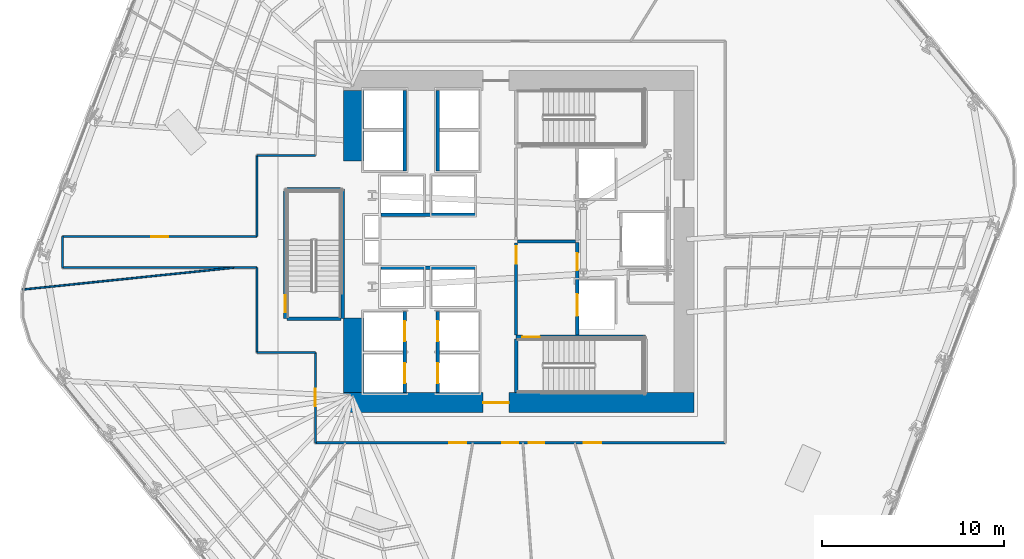
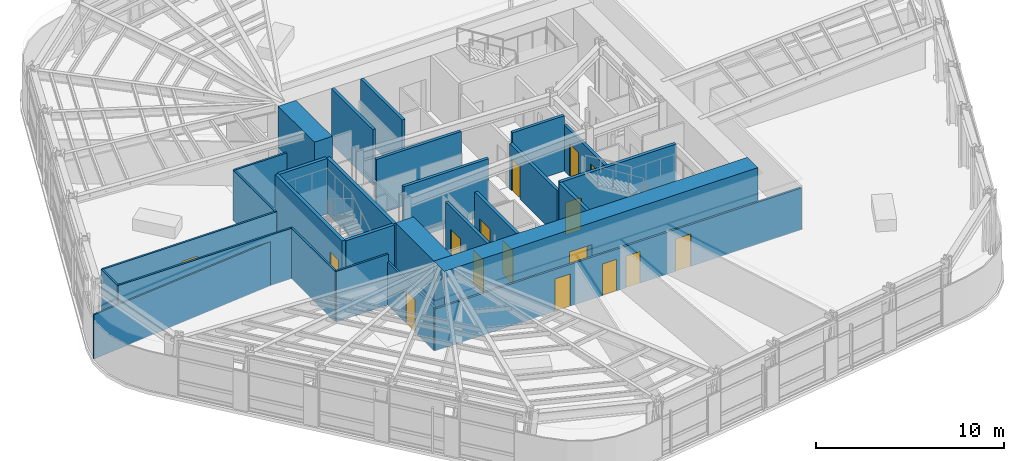
# One storey, part 8 of 16: 28 walls, 16 doors, 16 openings.
"""IFC4 building model written with IfcOpenShell, lengths in metres."""

from ifc_helpers import new_model, si_unit, direction, frame, frame_2d, origin, place, context, subcontext, project, spatial, rectangle, extrude, material, layer, layer_set, type_object, element, fill, save


model = new_model("IFC4")

# Units and contexts
model_context = context("Model", 3, precision=1e-05, world=origin(), true_north=direction((0.0, 1.0)))
body_context = subcontext(model_context, "Body", "Model", "MODEL_VIEW")
ifc_project = project(units=[si_unit("LENGTHUNIT", "METRE"), si_unit("AREAUNIT", "SQUARE_METRE"), si_unit("VOLUMEUNIT", "CUBIC_METRE"), si_unit("PLANEANGLEUNIT", "RADIAN"), si_unit("MASSUNIT", "GRAM", prefix="KILO")], contexts=[model_context])

# Site, building, storey
site_placement = place(None, origin())
site = spatial("IfcSite", under=ifc_project, at=site_placement, CompositionType="ELEMENT")
building_placement = place(site_placement, origin())
building = spatial("IfcBuilding", under=site, at=building_placement, Name="Valkerne Bourse Tower", CompositionType="ELEMENT")
storey_placement = place(building_placement, frame((0.0, 0.0, 62.0)))
storey = spatial("IfcBuildingStorey", under=building, at=storey_placement, Name="L15", CompositionType="ELEMENT", Elevation=62.0)

# Wall, opening, door
ifc_material_1 = material(Name="Concrete C70/85", Category="concrete")
ifc_layer_1 = layer(ifc_material_1, 1.10009765625)
ifc_layer_set_1 = layer_set([ifc_layer_1], Name="Concrete C70/85")
wall_type_1 = type_object("IfcWallType", Name="W-CORE-1100", PredefinedType="SHEAR", material=ifc_layer_set_1)
wall_1_placement = place(storey_placement, frame((37.199951171875, 18.050048828125, 0.0), z_axis=(0.0, 0.0, 1.0), x_axis=(1.0, 0.0, 0.0)))
wall_1 = element("IfcWall", 1, at=wall_1_placement, inside=storey, type_object=wall_type_1, Name="L15 Core Shear Wall SOUTH", PredefinedType="SHEAR", context=body_context, shape_type="SweptSolid", body=[
    extrude(rectangle(XDim=19.199951171875, YDim=1.10009765625, at=frame_2d((9.60009765625, 0.0))), origin(), (0.0, 0.0, 1.0), 3.580078125),
])
opening_1_placement = place(wall_1_placement, frame((7.64990234375, 0.0, 0.0)))
opening_1 = element("IfcOpeningElement", 2, at=opening_1_placement, cuts=wall_1, Name="Opening D-PL-1400", PredefinedType="OPENING", context=body_context, shape_type="SweptSolid", body=[
    extrude(rectangle(XDim=1.39990234375, YDim=2.14990234375, at=frame_2d((0.699951171875, 1.074951171875))), frame((0.0, 0.56005859375, 0.0), z_axis=(0.0, -1.0, 0.0), x_axis=(1.0, 0.0, 0.0)), (0.0, 0.0, 1.0), 1.1201171875),
])
ifc_material_2 = material(Name="Galvanised Painted Steel", Category="steel")
door_type_1 = type_object("IfcDoorType", Name="DR-PLT-1400", OperationType="DOUBLE_DOOR_SINGLE_SWING", PredefinedType="DOOR", material=ifc_material_2)
door_1_placement = place(opening_1_placement, origin())
door_1 = element("IfcDoor", 3, at=door_1_placement, inside=storey, type_object=door_type_1, Name="L15 South Passenger Lift Hall Fire Door", OperationType="DOUBLE_DOOR_SINGLE_SWING", OverallHeight=2.14990234375, OverallWidth=1.39990234375, PredefinedType="DOOR", context=body_context, shape_type="SweptSolid", body=[
    extrude(rectangle(XDim=1.39990234375, YDim=2.14990234375, at=frame_2d((0.699951171875, 1.074951171875))), frame((0.0, 0.02490234375, 0.0), z_axis=(0.0, -1.0, 0.0), x_axis=(1.0, 0.0, 0.0)), (0.0, 0.0, 1.0), 0.050048828125),
])
fill(opening_1, door_1)

# Walls
wall_2_placement = place(storey_placement, frame((37.75, 18.60009765625, 0.0), z_axis=(0.0, 0.0, 1.0), x_axis=(0.0, 1.0, 0.0)))
element("IfcWall", 4, at=wall_2_placement, inside=storey, type_object=wall_type_1, Name="L15 Core Shear Wall WEST-S", PredefinedType="SHEAR", context=body_context, shape_type="SweptSolid", body=[
    extrude(rectangle(XDim=4.099853515625, YDim=1.10009765625, at=frame_2d((2.0498046875, 0.0))), origin(), (0.0, 0.0, 1.0), 3.580078125),
])
wall_3_placement = place(storey_placement, frame((37.75, 31.300048828125, 0.0), z_axis=(0.0, 0.0, 1.0), x_axis=(0.0, 1.0, 0.0)))
element("IfcWall", 5, at=wall_3_placement, inside=storey, type_object=wall_type_1, Name="L15 Core Shear Wall WEST-N", PredefinedType="SHEAR", context=body_context, shape_type="SweptSolid", body=[
    extrude(rectangle(XDim=3.849853515625, YDim=1.10009765625, at=frame_2d((1.9248046875, 0.0))), origin(), (0.0, 0.0, 1.0), 3.580078125),
])

# Wall, openings, doors
ifc_material_3 = material(Name="Gypsum Board Steel-Stud Partition", Category="steel")
ifc_layer_2 = layer(ifc_material_3, 0.117919921875)
ifc_layer_set_2 = layer_set([ifc_layer_2], Name="Gypsum Board Steel-Stud Partition")
wall_type_2 = type_object("IfcWallType", Name="W-CORR-140", PredefinedType="PARTITIONING", material=ifc_layer_set_2)
wall_4_placement = place(storey_placement, frame((58.10009765625, 15.85009765625, 0.0), z_axis=(0.0, 0.0, 1.0), x_axis=(-1.0, 0.0, 0.0)))
wall_4 = element("IfcWall", 6, at=wall_4_placement, inside=storey, type_object=wall_type_2, Name="L15 Corridor Enclosure Wall", PredefinedType="PARTITIONING", context=body_context, shape_type="SweptSolid", body=[
    extrude(rectangle(XDim=22.4501953125, YDim=0.117919921875, at=frame_2d((11.22509765625, 0.0))), origin(), (0.0, 0.0, 1.0), 2.711669921875),
])
opening_2_placement = place(wall_4_placement, frame((9.89501953125, 0.0, 0.0)))
opening_2 = element("IfcOpeningElement", 7, at=opening_2_placement, cuts=wall_4, Name="Opening D-WC-900", PredefinedType="OPENING", context=body_context, shape_type="SweptSolid", body=[
    extrude(rectangle(XDim=0.860107421875, YDim=2.050048828125, at=frame_2d((0.43017578125, 1.02490234375))), frame((0.0, 0.06884765625, 0.0), z_axis=(0.0, -1.0, 0.0), x_axis=(1.0, 0.0, 0.0)), (0.0, 0.0, 1.0), 0.137939453125),
])
opening_3_placement = place(wall_4_placement, frame((11.3349609375, 0.0, 0.0)))
opening_3 = element("IfcOpeningElement", 8, at=opening_3_placement, cuts=wall_4, Name="Opening D-WC-900", PredefinedType="OPENING", context=body_context, shape_type="SweptSolid", body=[
    extrude(rectangle(XDim=0.860107421875, YDim=2.050048828125, at=frame_2d((0.43017578125, 1.02490234375))), frame((0.0, 0.06884765625, 0.0), z_axis=(0.0, -1.0, 0.0), x_axis=(1.0, 0.0, 0.0)), (0.0, 0.0, 1.0), 0.137939453125),
])
opening_4_placement = place(wall_4_placement, frame((14.169921875, 0.0, 0.0)))
opening_4 = element("IfcOpeningElement", 9, at=opening_4_placement, cuts=wall_4, Name="Opening D-OF-950", PredefinedType="OPENING", context=body_context, shape_type="SweptSolid", body=[
    extrude(rectangle(XDim=0.949951171875, YDim=2.10009765625, at=frame_2d((0.47509765625, 1.050048828125))), frame((0.0, 0.06884765625, 0.0), z_axis=(0.0, -1.0, 0.0), x_axis=(1.0, 0.0, 0.0)), (0.0, 0.0, 1.0), 0.137939453125),
])
opening_5_placement = place(wall_4_placement, frame((6.7900390625, 0.0, 0.0)))
opening_5 = element("IfcOpeningElement", 10, at=opening_5_placement, cuts=wall_4, Name="Opening D-OF-950", PredefinedType="OPENING", context=body_context, shape_type="SweptSolid", body=[
    extrude(rectangle(XDim=0.949951171875, YDim=2.10009765625, at=frame_2d((0.47509765625, 1.050048828125))), frame((0.0, 0.06884765625, 0.0), z_axis=(0.0, -1.0, 0.0), x_axis=(1.0, 0.0, 0.0)), (0.0, 0.0, 1.0), 0.137939453125),
])
ifc_material_4 = material(Name="Architectural White Oak Timber", Category="wood")
door_type_2 = type_object("IfcDoorType", Name="DR-OFF-950", OperationType="NOTDEFINED", PredefinedType="DOOR", material=ifc_material_4)
door_2_placement = place(opening_4_placement, origin())
door_2 = element("IfcDoor", 11, at=door_2_placement, inside=storey, type_object=door_type_2, Name="L15 L15 Commodities Market Showroom 4 Door", OperationType="SINGLE_SWING_LEFT", OverallHeight=2.10009765625, OverallWidth=0.949951171875, PredefinedType="DOOR", context=body_context, shape_type="SweptSolid", body=[
    extrude(rectangle(XDim=0.949951171875, YDim=2.10009765625, at=frame_2d((0.47509765625, 1.050048828125))), frame((0.0, 0.02490234375, 0.0), z_axis=(0.0, -1.0, 0.0), x_axis=(1.0, 0.0, 0.0)), (0.0, 0.0, 1.0), 0.050048828125),
])
fill(opening_4, door_2)
door_3_placement = place(opening_5_placement, origin())
door_3 = element("IfcDoor", 12, at=door_3_placement, inside=storey, type_object=door_type_2, Name="L15 L15 Member Collaboration Club Salon 7 Door", OperationType="SINGLE_SWING_LEFT", OverallHeight=2.10009765625, OverallWidth=0.949951171875, PredefinedType="DOOR", context=body_context, shape_type="SweptSolid", body=[
    extrude(rectangle(XDim=0.949951171875, YDim=2.10009765625, at=frame_2d((0.47509765625, 1.050048828125))), frame((0.0, 0.02490234375, 0.0), z_axis=(0.0, -1.0, 0.0), x_axis=(1.0, 0.0, 0.0)), (0.0, 0.0, 1.0), 0.050048828125),
])
fill(opening_5, door_3)
door_type_3 = type_object("IfcDoorType", Name="DR-WC-900", OperationType="NOTDEFINED", PredefinedType="DOOR", material=ifc_material_4)
door_4_placement = place(opening_2_placement, origin())
door_4 = element("IfcDoor", 13, at=door_4_placement, inside=storey, type_object=door_type_3, Name="L15 L15 Men Bathroom WC 1 Door", OperationType="SINGLE_SWING_RIGHT", OverallHeight=2.050048828125, OverallWidth=0.860107421875, PredefinedType="DOOR", context=body_context, shape_type="SweptSolid", body=[
    extrude(rectangle(XDim=0.860107421875, YDim=2.050048828125, at=frame_2d((0.43017578125, 1.02490234375))), frame((0.0, 0.02490234375, 0.0), z_axis=(0.0, -1.0, 0.0), x_axis=(1.0, 0.0, 0.0)), (0.0, 0.0, 1.0), 0.050048828125),
])
fill(opening_2, door_4)
door_5_placement = place(opening_3_placement, origin())
door_5 = element("IfcDoor", 14, at=door_5_placement, inside=storey, type_object=door_type_3, Name="L15 L15 Women Restroom & Shower WC 2 Door", OperationType="SINGLE_SWING_LEFT", OverallHeight=2.050048828125, OverallWidth=0.860107421875, PredefinedType="DOOR", context=body_context, shape_type="SweptSolid", body=[
    extrude(rectangle(XDim=0.860107421875, YDim=2.050048828125, at=frame_2d((0.43017578125, 1.02490234375))), frame((0.0, 0.02490234375, 0.0), z_axis=(0.0, -1.0, 0.0), x_axis=(1.0, 0.0, 0.0)), (0.0, 0.0, 1.0), 0.050048828125),
])
fill(opening_3, door_5)

# Wall, opening, door
wall_5_placement = place(storey_placement, frame((35.64990234375, 15.85009765625, 0.0), z_axis=(0.0, 0.0, 1.0), x_axis=(0.0, 1.0, 0.0)))
wall_5 = element("IfcWall", 15, at=wall_5_placement, inside=storey, type_object=wall_type_2, Name="L15 Corridor Enclosure Wall", PredefinedType="PARTITIONING", context=body_context, shape_type="SweptSolid", body=[
    extrude(rectangle(XDim=4.949951171875, YDim=0.117919921875, at=frame_2d((2.47509765625, 0.0))), origin(), (0.0, 0.0, 1.0), 2.80029296875),
])
opening_6_placement = place(wall_5_placement, frame((2.0, 0.0, 0.0)))
opening_6 = element("IfcOpeningElement", 16, at=opening_6_placement, cuts=wall_5, Name="Opening D-OF-950", PredefinedType="OPENING", context=body_context, shape_type="SweptSolid", body=[
    extrude(rectangle(XDim=0.949951171875, YDim=2.10009765625, at=frame_2d((0.47509765625, 1.050048828125))), frame((0.0, 0.06884765625, 0.0), z_axis=(0.0, -1.0, 0.0), x_axis=(1.0, 0.0, 0.0)), (0.0, 0.0, 1.0), 0.137939453125),
])
door_6_placement = place(opening_6_placement, origin())
door_6 = element("IfcDoor", 17, at=door_6_placement, inside=storey, type_object=door_type_2, Name="L15 L15 VIP Client Concierge Reception 5 Door", OperationType="SINGLE_SWING_LEFT", OverallHeight=2.10009765625, OverallWidth=0.949951171875, PredefinedType="DOOR", context=body_context, shape_type="SweptSolid", body=[
    extrude(rectangle(XDim=0.949951171875, YDim=2.10009765625, at=frame_2d((0.47509765625, 1.050048828125))), frame((0.0, 0.02490234375, 0.0), z_axis=(0.0, -1.0, 0.0), x_axis=(1.0, 0.0, 0.0)), (0.0, 0.0, 1.0), 0.050048828125),
])
fill(opening_6, door_6)

# Walls
wall_6_placement = place(storey_placement, frame((35.64990234375, 20.800048828125, 0.0), z_axis=(0.0, 0.0, 1.0), x_axis=(-1.0, 0.0, 0.0)))
element("IfcWall", 18, at=wall_6_placement, inside=storey, type_object=wall_type_2, Name="L15 Corridor Enclosure Wall", PredefinedType="PARTITIONING", context=body_context, shape_type="SweptSolid", body=[
    extrude(rectangle(XDim=3.199951171875, YDim=0.117919921875, at=frame_2d((1.60009765625, 0.0))), origin(), (0.0, 0.0, 1.0), 3.280029296875),
])
wall_7_placement = place(storey_placement, frame((32.449951171875, 20.800048828125, 0.0), z_axis=(0.0, 0.0, 1.0), x_axis=(0.0, 1.0, 0.0)))
element("IfcWall", 19, at=wall_7_placement, inside=storey, type_object=wall_type_2, Name="L15 Corridor Enclosure Wall", PredefinedType="PARTITIONING", context=body_context, shape_type="SweptSolid", body=[
    extrude(rectangle(XDim=4.64990234375, YDim=0.117919921875, at=frame_2d((2.324951171875, 0.0))), origin(), (0.0, 0.0, 1.0), 3.280029296875),
])
wall_8_placement = place(storey_placement, frame((32.449951171875, 25.449951171875, 0.0), z_axis=(0.0, 0.0, 1.0), x_axis=(-1.0, 0.0, 0.0)))
element("IfcWall", 20, at=wall_8_placement, inside=storey, type_object=wall_type_2, Name="L15 Corridor Enclosure Wall", PredefinedType="PARTITIONING", context=body_context, shape_type="SweptSolid", body=[
    extrude(rectangle(XDim=10.64990234375, YDim=0.117919921875, at=frame_2d((5.324951171875, 0.0))), origin(), (0.0, 0.0, 1.0), 3.280029296875),
])
wall_9_placement = place(storey_placement, frame((21.800048828125, 25.449951171875, 0.0), z_axis=(0.0, 0.0, 1.0), x_axis=(0.0, 1.0, 0.0)))
element("IfcWall", 21, at=wall_9_placement, inside=storey, type_object=wall_type_2, Name="L15 Corridor Enclosure Wall", PredefinedType="PARTITIONING", context=body_context, shape_type="SweptSolid", body=[
    extrude(rectangle(XDim=1.699951171875, YDim=0.117919921875, at=frame_2d((0.85009765625, 0.0))), origin(), (0.0, 0.0, 1.0), 3.280029296875),
])

# Wall, opening, door
wall_10_placement = place(storey_placement, frame((21.800048828125, 27.14990234375, 0.0), z_axis=(0.0, 0.0, 1.0), x_axis=(1.0, 0.0, 0.0)))
wall_10 = element("IfcWall", 22, at=wall_10_placement, inside=storey, type_object=wall_type_2, Name="L15 Corridor Enclosure Wall", PredefinedType="PARTITIONING", context=body_context, shape_type="SweptSolid", body=[
    extrude(rectangle(XDim=10.64990234375, YDim=0.117919921875, at=frame_2d((5.324951171875, 0.0))), origin(), (0.0, 0.0, 1.0), 3.280029296875),
])
opening_7_placement = place(wall_10_placement, frame((4.85009765625, 0.0, 0.0)))
opening_7 = element("IfcOpeningElement", 23, at=opening_7_placement, cuts=wall_10, Name="Opening D-OF-950", PredefinedType="OPENING", context=body_context, shape_type="SweptSolid", body=[
    extrude(rectangle(XDim=0.949951171875, YDim=2.10009765625, at=frame_2d((0.47509765625, 1.050048828125))), frame((0.0, 0.06884765625, 0.0), z_axis=(0.0, -1.0, 0.0), x_axis=(1.0, 0.0, 0.0)), (0.0, 0.0, 1.0), 0.137939453125),
])
door_7_placement = place(opening_7_placement, origin())
door_7 = element("IfcDoor", 24, at=door_7_placement, inside=storey, type_object=door_type_2, Name="L15 L15 Commodities Market Showroom 3 Door", OperationType="SINGLE_SWING_LEFT", OverallHeight=2.10009765625, OverallWidth=0.949951171875, PredefinedType="DOOR", context=body_context, shape_type="SweptSolid", body=[
    extrude(rectangle(XDim=0.949951171875, YDim=2.10009765625, at=frame_2d((0.47509765625, 1.050048828125))), frame((0.0, 0.02490234375, 0.0), z_axis=(0.0, -1.0, 0.0), x_axis=(1.0, 0.0, 0.0)), (0.0, 0.0, 1.0), 0.050048828125),
])
fill(opening_7, door_7)

# Walls
wall_11_placement = place(storey_placement, frame((32.449951171875, 27.14990234375, 0.0), z_axis=(0.0, 0.0, 1.0), x_axis=(0.0, 1.0, 0.0)))
element("IfcWall", 25, at=wall_11_placement, inside=storey, type_object=wall_type_2, Name="L15 Corridor Enclosure Wall", PredefinedType="PARTITIONING", context=body_context, shape_type="SweptSolid", body=[
    extrude(rectangle(XDim=4.4501953125, YDim=0.117919921875, at=frame_2d((2.22509765625, 0.0))), origin(), (0.0, 0.0, 1.0), 3.280029296875),
])
wall_12_placement = place(storey_placement, frame((32.449951171875, 31.60009765625, 0.0), z_axis=(0.0, 0.0, 1.0), x_axis=(1.0, 0.0, 0.0)))
element("IfcWall", 26, at=wall_12_placement, inside=storey, type_object=wall_type_2, Name="L15 Corridor Enclosure Wall", PredefinedType="PARTITIONING", context=body_context, shape_type="SweptSolid", body=[
    extrude(rectangle(XDim=3.199951171875, YDim=0.117919921875, at=frame_2d((1.60009765625, 0.0))), origin(), (0.0, 0.0, 1.0), 3.280029296875),
])
ifc_material_5 = material(Name="Gypsum Fire-Rated Shaftwall", Category="gypsum")
ifc_layer_3 = layer(ifc_material_5, 0.179931640625)
ifc_layer_set_3 = layer_set([ifc_layer_3], Name="Gypsum Fire-Rated Shaftwall")
wall_type_3 = type_object("IfcWallType", Name="W-FSAE-180", PredefinedType="PARTITIONING", material=ifc_layer_set_3)
wall_13_placement = place(storey_placement, frame((46.739990234375, 26.8798828125, 0.0), z_axis=(0.0, 0.0, 1.0), x_axis=(1.0, 0.0, 0.0)))
element("IfcWall", 27, at=wall_13_placement, inside=storey, type_object=wall_type_3, Name="L15 FSAE-1/2 Lobby Dividing Fire Wall", PredefinedType="PARTITIONING", context=body_context, shape_type="SweptSolid", body=[
    extrude(rectangle(XDim=3.169921875, YDim=0.179931640625, at=frame_2d((1.5849609375, 0.0))), origin(), (0.0, 0.0, 1.0), 3.580078125),
])

# Wall, opening, door
wall_14_placement = place(storey_placement, frame((46.64990234375, 21.75, 0.0), z_axis=(0.0, 0.0, 1.0), x_axis=(0.0, 1.0, 0.0)))
wall_14 = element("IfcWall", 28, at=wall_14_placement, inside=storey, type_object=wall_type_3, Name="L15 FSAE-1 Lobby West Fire Wall", PredefinedType="PARTITIONING", context=body_context, shape_type="SweptSolid", body=[
    extrude(rectangle(XDim=5.050048828125, YDim=0.179931640625, at=frame_2d((2.52490234375, 0.0))), origin(), (0.0, 0.0, 1.0), 2.957763671875),
])
opening_8_placement = place(wall_14_placement, frame((3.919921875, 0.0, 0.0)))
opening_8 = element("IfcOpeningElement", 29, at=opening_8_placement, cuts=wall_14, Name="Opening D-FS-950", PredefinedType="OPENING", context=body_context, shape_type="SweptSolid", body=[
    extrude(rectangle(XDim=0.949951171875, YDim=2.10009765625, at=frame_2d((0.47509765625, 1.050048828125))), frame((0.0, 0.099853515625, 0.0), z_axis=(0.0, -1.0, 0.0), x_axis=(1.0, 0.0, 0.0)), (0.0, 0.0, 1.0), 0.199951171875),
])
door_type_4 = type_object("IfcDoorType", Name="DR-FSAE-950", OperationType="NOTDEFINED", PredefinedType="DOOR", material=ifc_material_2)
door_8_placement = place(opening_8_placement, origin())
door_8 = element("IfcDoor", 30, at=door_8_placement, inside=storey, type_object=door_type_4, Name="L15 FSAE-1 Hall Link Fire Door", OperationType="SINGLE_SWING_RIGHT", OverallHeight=2.10009765625, OverallWidth=0.949951171875, PredefinedType="DOOR", context=body_context, shape_type="SweptSolid", body=[
    extrude(rectangle(XDim=0.949951171875, YDim=2.10009765625, at=frame_2d((0.47509765625, 1.050048828125))), frame((0.0, 0.02490234375, 0.0), z_axis=(0.0, -1.0, 0.0), x_axis=(1.0, 0.0, 0.0)), (0.0, 0.0, 1.0), 0.050048828125),
])
fill(opening_8, door_8)

# Wall, openings, doors
wall_15_placement = place(storey_placement, frame((50.0, 21.75, 0.0), z_axis=(0.0, 0.0, 1.0), x_axis=(0.0, 1.0, 0.0)))
wall_15 = element("IfcWall", 31, at=wall_15_placement, inside=storey, type_object=wall_type_3, Name="L15 FSAE-1 Lobby & Shaft Front Wall", PredefinedType="PARTITIONING", context=body_context, shape_type="SweptSolid", body=[
    extrude(rectangle(XDim=5.090087890625, YDim=0.179931640625, at=frame_2d((2.544921875, 0.0))), origin(), (0.0, 0.0, 1.0), 2.957763671875),
])
opening_9_placement = place(wall_15_placement, frame((1.050048828125, 0.0, 0.0)))
opening_9 = element("IfcOpeningElement", 32, at=opening_9_placement, cuts=wall_15, Name="Opening LD-1200", PredefinedType="OPENING", context=body_context, shape_type="SweptSolid", body=[
    extrude(rectangle(XDim=1.199951171875, YDim=2.14990234375, at=frame_2d((0.60009765625, 1.074951171875))), frame((0.0, 0.099853515625, 0.0), z_axis=(0.0, -1.0, 0.0), x_axis=(1.0, 0.0, 0.0)), (0.0, 0.0, 1.0), 0.199951171875),
])
opening_10_placement = place(wall_15_placement, frame((3.550048828125, 0.0, 0.0)))
opening_10 = element("IfcOpeningElement", 33, at=opening_10_placement, cuts=wall_15, Name="Opening D-FS-950", PredefinedType="OPENING", context=body_context, shape_type="SweptSolid", body=[
    extrude(rectangle(XDim=0.949951171875, YDim=2.10009765625, at=frame_2d((0.47509765625, 1.050048828125))), frame((0.0, 0.099853515625, 0.0), z_axis=(0.0, -1.0, 0.0), x_axis=(1.0, 0.0, 0.0)), (0.0, 0.0, 1.0), 0.199951171875),
])
door_9_placement = place(opening_10_placement, origin())
door_9 = element("IfcDoor", 34, at=door_9_placement, inside=storey, type_object=door_type_4, Name="L15 FSAE-1 Lobby Corridor Fire Door", OperationType="SINGLE_SWING_RIGHT", OverallHeight=2.10009765625, OverallWidth=0.949951171875, PredefinedType="DOOR", context=body_context, shape_type="SweptSolid", body=[
    extrude(rectangle(XDim=0.949951171875, YDim=2.10009765625, at=frame_2d((0.47509765625, 1.050048828125))), frame((0.0, 0.02490234375, 0.0), z_axis=(0.0, -1.0, 0.0), x_axis=(1.0, 0.0, 0.0)), (0.0, 0.0, 1.0), 0.050048828125),
])
fill(opening_10, door_9)
ifc_material_6 = material(Name="Stainless Steel AISI 316", Category="steel")
door_type_5 = type_object("IfcDoorType", Name="DR-LIFT-1200", OperationType="DOUBLE_DOOR_SLIDING", PredefinedType="DOOR", material=ifc_material_6)
door_10_placement = place(opening_9_placement, origin())
door_10 = element("IfcDoor", 35, at=door_10_placement, inside=storey, type_object=door_type_5, Name="L15 FSAE-1 Firefighting Lift Landing Door", OperationType="DOUBLE_DOOR_SLIDING", OverallHeight=2.14990234375, OverallWidth=1.199951171875, PredefinedType="DOOR", context=body_context, shape_type="SweptSolid", body=[
    extrude(rectangle(XDim=1.199951171875, YDim=2.14990234375, at=frame_2d((0.60009765625, 1.074951171875))), frame((0.0, 0.02490234375, 0.0), z_axis=(0.0, -1.0, 0.0), x_axis=(1.0, 0.0, 0.0)), (0.0, 0.0, 1.0), 0.050048828125),
])
fill(opening_9, door_10)

ifc_material_7 = material(Name="CMU Blockwork Masonry 200mm", Category="masonry")
ifc_layer_4 = layer(ifc_material_7, 0.179931640625)
ifc_layer_set_4 = layer_set([ifc_layer_4], Name="CMU Blockwork Masonry 200mm")
wall_type_4 = type_object("IfcWallType", Name="W-LFT-180", PredefinedType="SOLIDWALL", material=ifc_layer_set_4)
wall_16_placement = place(storey_placement, frame((40.550048828125, 18.6201171875, 0.0), z_axis=(0.0, 0.0, 1.0), x_axis=(0.0, 1.0, 0.0)))
wall_16 = element("IfcWall", 36, at=wall_16_placement, inside=storey, type_object=wall_type_4, Name="L15 Low-Zone West Cars Front Wall", PredefinedType="SOLIDWALL", context=body_context, shape_type="SweptSolid", body=[
    extrude(rectangle(XDim=4.429931640625, YDim=0.179931640625, at=frame_2d((2.21484375, 0.0))), origin(), (0.0, 0.0, 1.0), 3.580078125),
])
opening_11_placement = place(wall_16_placement, frame((0.5, 0.0, 0.0)))
opening_11 = element("IfcOpeningElement", 37, at=opening_11_placement, cuts=wall_16, Name="Opening LD-1100", PredefinedType="OPENING", context=body_context, shape_type="SweptSolid", body=[
    extrude(rectangle(XDim=1.10009765625, YDim=2.14990234375, at=frame_2d((0.550048828125, 1.074951171875))), frame((0.0, 0.099853515625, 0.0), z_axis=(0.0, -1.0, 0.0), x_axis=(1.0, 0.0, 0.0)), (0.0, 0.0, 1.0), 0.199951171875),
])
opening_12_placement = place(wall_16_placement, frame((2.800048828125, 0.0, 0.0)))
opening_12 = element("IfcOpeningElement", 38, at=opening_12_placement, cuts=wall_16, Name="Opening LD-1100", PredefinedType="OPENING", context=body_context, shape_type="SweptSolid", body=[
    extrude(rectangle(XDim=1.10009765625, YDim=2.14990234375, at=frame_2d((0.550048828125, 1.074951171875))), frame((0.0, 0.099853515625, 0.0), z_axis=(0.0, -1.0, 0.0), x_axis=(1.0, 0.0, 0.0)), (0.0, 0.0, 1.0), 0.199951171875),
])
door_type_6 = type_object("IfcDoorType", Name="DR-LIFT-1100", OperationType="DOUBLE_DOOR_SLIDING", PredefinedType="DOOR", material=ifc_material_6)
door_11_placement = place(opening_11_placement, origin())
door_11 = element("IfcDoor", 39, at=door_11_placement, inside=storey, type_object=door_type_6, Name="L15 Passenger Lift PL-L1 Sliding Landing Door", OperationType="DOUBLE_DOOR_SLIDING", OverallHeight=2.14990234375, OverallWidth=1.10009765625, PredefinedType="DOOR", context=body_context, shape_type="SweptSolid", body=[
    extrude(rectangle(XDim=1.10009765625, YDim=2.14990234375, at=frame_2d((0.550048828125, 1.074951171875))), frame((0.0, 0.02490234375, 0.0), z_axis=(0.0, -1.0, 0.0), x_axis=(1.0, 0.0, 0.0)), (0.0, 0.0, 1.0), 0.050048828125),
])
fill(opening_11, door_11)
door_12_placement = place(opening_12_placement, origin())
door_12 = element("IfcDoor", 40, at=door_12_placement, inside=storey, type_object=door_type_6, Name="L15 Passenger Lift PL-L2 Sliding Landing Door", OperationType="DOUBLE_DOOR_SLIDING", OverallHeight=2.14990234375, OverallWidth=1.10009765625, PredefinedType="DOOR", context=body_context, shape_type="SweptSolid", body=[
    extrude(rectangle(XDim=1.10009765625, YDim=2.14990234375, at=frame_2d((0.550048828125, 1.074951171875))), frame((0.0, 0.02490234375, 0.0), z_axis=(0.0, -1.0, 0.0), x_axis=(1.0, 0.0, 0.0)), (0.0, 0.0, 1.0), 0.050048828125),
])
fill(opening_12, door_12)

wall_17_placement = place(storey_placement, frame((42.35009765625, 18.6201171875, 0.0), z_axis=(0.0, 0.0, 1.0), x_axis=(0.0, 1.0, 0.0)))
wall_17 = element("IfcWall", 41, at=wall_17_placement, inside=storey, type_object=wall_type_4, Name="L15 Low-Zone East Cars Front Wall", PredefinedType="SOLIDWALL", context=body_context, shape_type="SweptSolid", body=[
    extrude(rectangle(XDim=4.429931640625, YDim=0.179931640625, at=frame_2d((2.21484375, 0.0))), origin(), (0.0, 0.0, 1.0), 3.580078125),
])
opening_13_placement = place(wall_17_placement, frame((0.5, 0.0, 0.0)))
opening_13 = element("IfcOpeningElement", 42, at=opening_13_placement, cuts=wall_17, Name="Opening LD-1100", PredefinedType="OPENING", context=body_context, shape_type="SweptSolid", body=[
    extrude(rectangle(XDim=1.10009765625, YDim=2.14990234375, at=frame_2d((0.550048828125, 1.074951171875))), frame((0.0, 0.099853515625, 0.0), z_axis=(0.0, -1.0, 0.0), x_axis=(1.0, 0.0, 0.0)), (0.0, 0.0, 1.0), 0.199951171875),
])
opening_14_placement = place(wall_17_placement, frame((2.800048828125, 0.0, 0.0)))
opening_14 = element("IfcOpeningElement", 43, at=opening_14_placement, cuts=wall_17, Name="Opening LD-1100", PredefinedType="OPENING", context=body_context, shape_type="SweptSolid", body=[
    extrude(rectangle(XDim=1.10009765625, YDim=2.14990234375, at=frame_2d((0.550048828125, 1.074951171875))), frame((0.0, 0.099853515625, 0.0), z_axis=(0.0, -1.0, 0.0), x_axis=(1.0, 0.0, 0.0)), (0.0, 0.0, 1.0), 0.199951171875),
])
door_13_placement = place(opening_13_placement, origin())
door_13 = element("IfcDoor", 44, at=door_13_placement, inside=storey, type_object=door_type_6, Name="L15 Passenger Lift PL-L3 Sliding Landing Door", OperationType="DOUBLE_DOOR_SLIDING", OverallHeight=2.14990234375, OverallWidth=1.10009765625, PredefinedType="DOOR", context=body_context, shape_type="SweptSolid", body=[
    extrude(rectangle(XDim=1.10009765625, YDim=2.14990234375, at=frame_2d((0.550048828125, 1.074951171875))), frame((0.0, 0.02490234375, 0.0), z_axis=(0.0, -1.0, 0.0), x_axis=(1.0, 0.0, 0.0)), (0.0, 0.0, 1.0), 0.050048828125),
])
fill(opening_13, door_13)
door_14_placement = place(opening_14_placement, origin())
door_14 = element("IfcDoor", 45, at=door_14_placement, inside=storey, type_object=door_type_6, Name="L15 Passenger Lift PL-L4 Sliding Landing Door", OperationType="DOUBLE_DOOR_SLIDING", OverallHeight=2.14990234375, OverallWidth=1.10009765625, PredefinedType="DOOR", context=body_context, shape_type="SweptSolid", body=[
    extrude(rectangle(XDim=1.10009765625, YDim=2.14990234375, at=frame_2d((0.550048828125, 1.074951171875))), frame((0.0, 0.02490234375, 0.0), z_axis=(0.0, -1.0, 0.0), x_axis=(1.0, 0.0, 0.0)), (0.0, 0.0, 1.0), 0.050048828125),
])
fill(opening_14, door_14)

# Walls
for number, where, z_axis, x_axis, name in (
    (46, (40.550048828125, 30.75, 0.0), (0.0, 0.0, 1.0), (0.0, 1.0, 0.0), "L15 Mid-Zone West Cars Front Wall"),
    (47, (42.35009765625, 30.75, 0.0), (0.0, 0.0, 1.0), (0.0, 1.0, 0.0), "L15 Mid-Zone East Cars Front Wall"),
):
    element("IfcWall", number, at=place(storey_placement, frame(where, z_axis=z_axis, x_axis=x_axis)), inside=storey, type_object=wall_type_4, Name=name, PredefinedType="SOLIDWALL", context=body_context, shape_type="SweptSolid", body=[
        extrude(rectangle(XDim=4.39990234375, YDim=0.179931640625, at=frame_2d((2.199951171875, 0.0))), origin(), (0.0, 0.0, 1.0), 3.580078125),
    ])
for number, where, z_axis, x_axis, name in (
    (48, (39.25, 25.449951171875, 0.0), (0.0, 0.0, 1.0), (1.0, 0.0, 0.0), "L15 High-Zone South Cars Front Wall"),
    (49, (39.25, 28.35009765625, 0.0), (0.0, 0.0, 1.0), (1.0, 0.0, 0.0), "L15 High-Zone North Cars Front Wall"),
):
    element("IfcWall", number, at=place(storey_placement, frame(where, z_axis=z_axis, x_axis=x_axis)), inside=storey, type_object=wall_type_4, Name=name, PredefinedType="SOLIDWALL", context=body_context, shape_type="SweptSolid", body=[
        extrude(rectangle(XDim=5.199951171875, YDim=0.179931640625, at=frame_2d((2.60009765625, 0.0))), origin(), (0.0, 0.0, 1.0), 3.580078125),
    ])
ifc_layer_5 = layer(ifc_material_3, 0.092041015625)
ifc_layer_set_5 = layer_set([ifc_layer_5], Name="Gypsum Board Steel-Stud Partition")
wall_type_5 = type_object("IfcWallType", Name="W-PART-115", PredefinedType="PARTITIONING", material=ifc_layer_set_5)
wall_18_placement = place(storey_placement, frame((31.168701171875, 25.445068359375, 0.0), z_axis=(0.0, 0.0, 1.0), x_axis=(-0.99468942564, -0.102922040985, 0.0)))
element("IfcWall", 50, at=wall_18_placement, inside=storey, type_object=wall_type_5, Name="L15 Suite Partition P06", PredefinedType="PARTITIONING", context=body_context, shape_type="SweptSolid", body=[
    extrude(rectangle(XDim=11.64453125, YDim=0.092041015625, at=frame_2d((5.822265625, 0.0))), origin(), (0.0, 0.0, 1.0), 2.864013671875),
])

# Wall, opening, door
ifc_material_8 = material(Name="Concrete C40/50", Category="concrete")
ifc_layer_6 = layer(ifc_material_8, 0.199951171875)
ifc_layer_set_6 = layer_set([ifc_layer_6], Name="Concrete C40/50")
wall_type_6 = type_object("IfcWallType", Name="W-SHF-200", PredefinedType="SHEAR", material=ifc_layer_set_6)
wall_19_placement = place(storey_placement, frame((46.64990234375, 21.64990234375, 0.0), z_axis=(0.0, 0.0, 1.0), x_axis=(1.0, 0.0, 0.0)))
wall_19 = element("IfcWall", 51, at=wall_19_placement, inside=storey, type_object=wall_type_6, Name="L15 Exit Stair ST-1 Structural Shaft Wall North", PredefinedType="SHEAR", context=body_context, shape_type="SweptSolid", body=[
    extrude(rectangle(XDim=7.10009765625, YDim=0.199951171875, at=frame_2d((3.550048828125, 0.0))), origin(), (0.0, 0.0, 1.0), 3.580078125),
])
opening_15_placement = place(wall_19_placement, frame((0.35009765625, 0.0, 0.0)))
opening_15 = element("IfcOpeningElement", 52, at=opening_15_placement, cuts=wall_19, Name="Opening D-ST-950", PredefinedType="OPENING", context=body_context, shape_type="SweptSolid", body=[
    extrude(rectangle(XDim=0.949951171875, YDim=2.10009765625, at=frame_2d((0.47509765625, 1.050048828125))), frame((0.0, 0.10986328125, 0.0), z_axis=(0.0, -1.0, 0.0), x_axis=(1.0, 0.0, 0.0)), (0.0, 0.0, 1.0), 0.219970703125),
])
door_type_7 = type_object("IfcDoorType", Name="DR-STAIR-950", OperationType="NOTDEFINED", PredefinedType="DOOR", material=ifc_material_2)
door_15_placement = place(opening_15_placement, origin())
door_15 = element("IfcDoor", 53, at=door_15_placement, inside=storey, type_object=door_type_7, Name="L15 Exit Stair ST-1 Door", OperationType="SINGLE_SWING_LEFT", OverallHeight=2.10009765625, OverallWidth=0.949951171875, PredefinedType="DOOR", context=body_context, shape_type="SweptSolid", body=[
    extrude(rectangle(XDim=0.949951171875, YDim=2.10009765625, at=frame_2d((0.47509765625, 1.050048828125))), frame((0.0, 0.02490234375, 0.0), z_axis=(0.0, -1.0, 0.0), x_axis=(1.0, 0.0, 0.0)), (0.0, 0.0, 1.0), 0.050048828125),
])
fill(opening_15, door_15)

# Wall
wall_20_placement = place(storey_placement, frame((46.64990234375, 18.60009765625, 0.0), z_axis=(0.0, 0.0, 1.0), x_axis=(0.0, 1.0, 0.0)))
element("IfcWall", 54, at=wall_20_placement, inside=storey, type_object=wall_type_6, Name="L15 Exit Stair ST-1 Structural Shaft Wall West", PredefinedType="SHEAR", context=body_context, shape_type="SweptSolid", body=[
    extrude(rectangle(XDim=2.949951171875, YDim=0.199951171875, at=frame_2d((1.47509765625, 0.0))), origin(), (0.0, 0.0, 1.0), 3.580078125),
])

# Wall, opening, door
wall_21_placement = place(storey_placement, frame((34.0, 22.64990234375, 0.0), z_axis=(0.0, 0.0, 1.0), x_axis=(0.0, 1.0, 0.0)))
wall_21 = element("IfcWall", 55, at=wall_21_placement, inside=storey, type_object=wall_type_6, Name="L15 Exit Stair ST-3 Structural Shaft Wall West", PredefinedType="SHEAR", context=body_context, shape_type="SweptSolid", body=[
    extrude(rectangle(XDim=7.10009765625, YDim=0.199951171875, at=frame_2d((3.550048828125, 0.0))), origin(), (0.0, 0.0, 1.0), 3.580078125),
])
opening_16_placement = place(wall_21_placement, frame((0.35009765625, 0.0, 0.0)))
opening_16 = element("IfcOpeningElement", 56, at=opening_16_placement, cuts=wall_21, Name="Opening D-ST-950", PredefinedType="OPENING", context=body_context, shape_type="SweptSolid", body=[
    extrude(rectangle(XDim=0.949951171875, YDim=2.10009765625, at=frame_2d((0.47509765625, 1.050048828125))), frame((0.0, 0.10986328125, 0.0), z_axis=(0.0, -1.0, 0.0), x_axis=(1.0, 0.0, 0.0)), (0.0, 0.0, 1.0), 0.219970703125),
])
door_16_placement = place(opening_16_placement, origin())
door_16 = element("IfcDoor", 57, at=door_16_placement, inside=storey, type_object=door_type_7, Name="L15 Exit Stair ST-3 Door", OperationType="SINGLE_SWING_RIGHT", OverallHeight=2.10009765625, OverallWidth=0.949951171875, PredefinedType="DOOR", context=body_context, shape_type="SweptSolid", body=[
    extrude(rectangle(XDim=0.949951171875, YDim=2.10009765625, at=frame_2d((0.47509765625, 1.050048828125))), frame((0.0, 0.02490234375, 0.0), z_axis=(0.0, -1.0, 0.0), x_axis=(1.0, 0.0, 0.0)), (0.0, 0.0, 1.0), 0.050048828125),
])
fill(opening_16, door_16)

# Walls
for number, where, z_axis, x_axis, name in (
    (58, (34.10009765625, 22.64990234375, 0.0), (0.0, 0.0, 1.0), (1.0, 0.0, 0.0), "L15 Exit Stair ST-3 Structural Shaft Wall South"),
    (59, (34.10009765625, 29.75, 0.0), (0.0, 0.0, 1.0), (1.0, 0.0, 0.0), "L15 Exit Stair ST-3 Structural Shaft Wall North"),
):
    element("IfcWall", number, at=place(storey_placement, frame(where, z_axis=z_axis, x_axis=x_axis)), inside=storey, type_object=wall_type_6, Name=name, PredefinedType="SHEAR", context=body_context, shape_type="SweptSolid", body=[
        extrude(rectangle(XDim=2.949951171875, YDim=0.199951171875, at=frame_2d((1.47509765625, 0.0))), origin(), (0.0, 0.0, 1.0), 3.580078125),
    ])
wall_22_placement = place(storey_placement, frame((37.14990234375, 22.64990234375, 0.0), z_axis=(0.0, 0.0, 1.0), x_axis=(0.0, 1.0, 0.0)))
element("IfcWall", 60, at=wall_22_placement, inside=storey, type_object=wall_type_6, Name="L15 Exit Stair ST-3 Structural Shaft Wall East", PredefinedType="SHEAR", context=body_context, shape_type="SweptSolid", body=[
    extrude(rectangle(XDim=7.10009765625, YDim=0.199951171875, at=frame_2d((3.550048828125, 0.0))), origin(), (0.0, 0.0, 1.0), 3.580078125),
])

save(model, "model.ifc")
